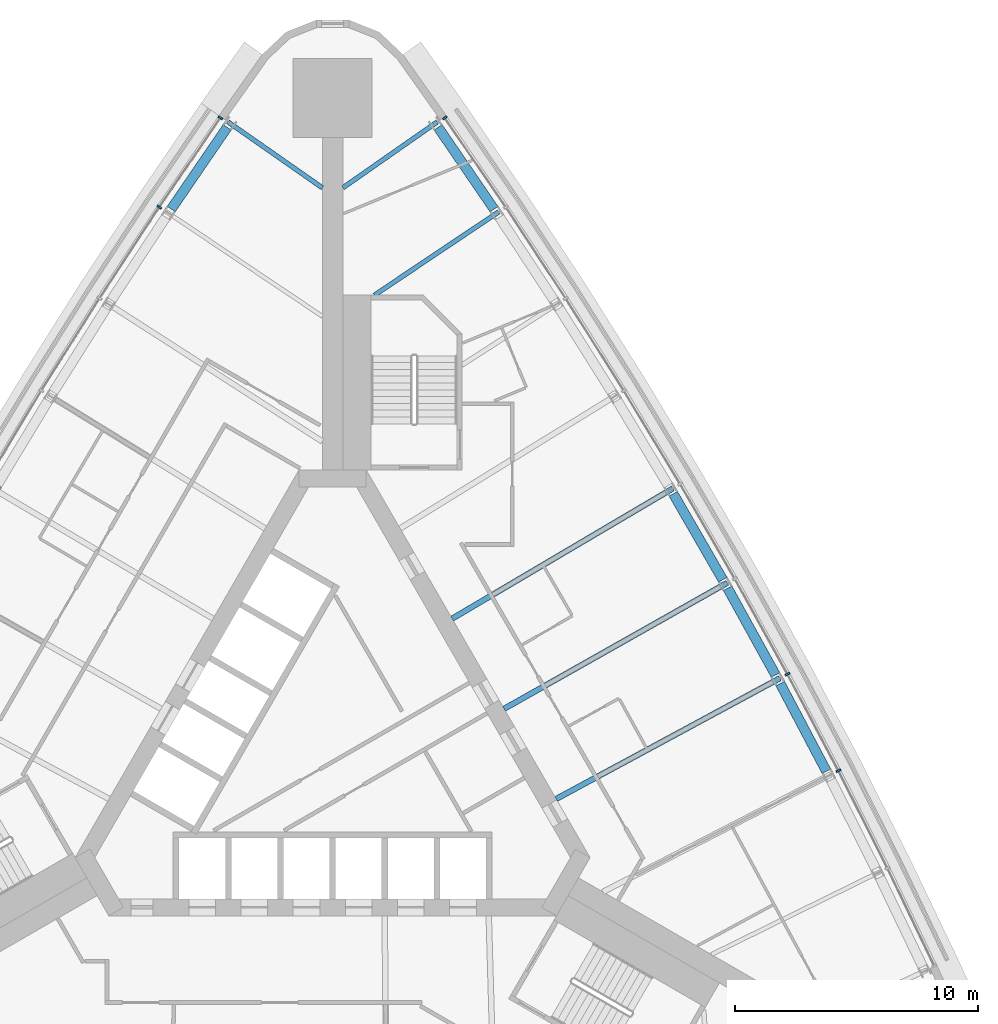
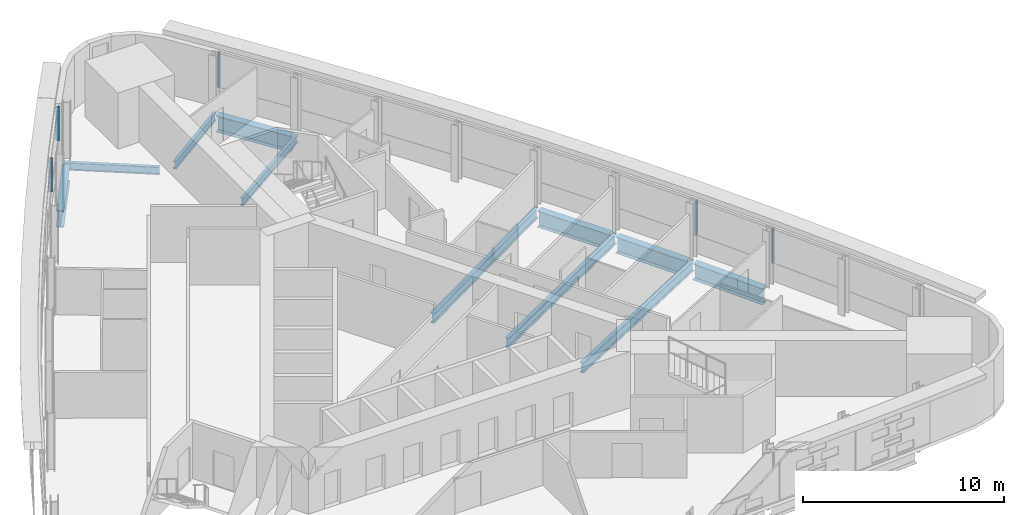
# One storey, part 6 of 15: 11 beams, 5 members, 2 elements without a shape of their own.
"""IFC4 building model written with IfcOpenShell, lengths in metres."""

from ifc_helpers import new_model, si_unit, direction, frame, origin, origin_2d, place, context, subcontext, project, spatial, rectangle, i_section, extrude, material, material_profile, profile_set, type_object, element, aggregate, save


model = new_model("IFC4")

# Units and contexts
model_context = context("Model", 3, precision=1e-05, world=origin(), true_north=direction((0.0, 1.0)))
body_context = subcontext(model_context, "Body", "Model", "MODEL_VIEW")
ifc_project = project(units=[si_unit("LENGTHUNIT", "METRE"), si_unit("AREAUNIT", "SQUARE_METRE"), si_unit("VOLUMEUNIT", "CUBIC_METRE"), si_unit("PLANEANGLEUNIT", "RADIAN"), si_unit("MASSUNIT", "GRAM", prefix="KILO")], contexts=[model_context])

# Site, building, storey
site_placement = place(None, origin())
site = spatial("IfcSite", under=ifc_project, at=site_placement, CompositionType="ELEMENT")
building_placement = place(site_placement, origin())
building = spatial("IfcBuilding", under=site, at=building_placement, Name="Noor Cloister Tower", CompositionType="ELEMENT")
storey_placement = place(building_placement, frame((0.0, 0.0, 58.199951171875)))
storey = spatial("IfcBuildingStorey", under=building, at=storey_placement, Name="L14", CompositionType="ELEMENT", Elevation=58.199951171875)

# Beams
ifc_material_1 = material(Name="Steel ASTM A992 Gr 50", Category="steel")
ifc_material_profile_1 = material_profile(ifc_material_1, i_section(OverallWidth=0.40087890625, OverallDepth=0.98291015625, WebThickness=0.0166015625, FlangeThickness=0.027099609375, FilletRadius=0.030029296875, at=origin_2d()), Name="W1000x296")
ifc_profile_set_1 = profile_set([ifc_material_profile_1], Name="Steel ASTM A992 Gr 50")
beam_type_1 = type_object("IfcBeamType", Name="Belt chord girder W1000x296", PredefinedType="BEAM", material=ifc_profile_set_1)
beam_1_placement = place(storey_placement, frame((-4.346923828125, 25.576416015625, -0.69140625), z_axis=(-0.564617500645, -0.825352699133, 0.0), x_axis=(0.825352699133, -0.564617500645, 0.0)))
element("IfcBeam", 1, at=beam_1_placement, inside=storey, type_object=beam_type_1, Name="Spandrel beam NW 01 L14", PredefinedType="BEAM", context=body_context, shape_type="SweptSolid", body=[
    extrude(i_section(OverallWidth=0.40087890625, OverallDepth=0.98291015625, WebThickness=0.0166015625, FlangeThickness=0.027099609375, FilletRadius=0.030029296875, at=origin_2d()), origin(), (0.0, 0.0, 1.0), 4.085205078125),
])
for number, where, z_axis, x_axis, name in (
    (2, (20.3564453125, -0.96923828125, -0.69140625), (-0.466541783788, 0.884499159965, 0.0), (-0.884499159965, -0.466541783788, 0.0), "Spandrel beam NE 03 L14"),
    (3, (18.258544921875, 2.999755859375, -0.69140625), (-0.483388526377, 0.875405924453, 0.0), (-0.875405924453, -0.483388526377, 0.0), "Spandrel beam NE 04 L14"),
    (4, (16.085205078125, 6.927978515625, -0.69140625), (-0.500001788232, 0.866024371346, 0.0), (-0.866024371346, -0.500001788232, 0.0), "Spandrel beam NE 05 L14"),
):
    element("IfcBeam", number, at=place(storey_placement, frame(where, z_axis=z_axis, x_axis=x_axis)), inside=storey, type_object=beam_type_1, Name=name, PredefinedType="BEAM", context=body_context, shape_type="SweptSolid", body=[
        extrude(i_section(OverallWidth=0.40087890625, OverallDepth=0.98291015625, WebThickness=0.0166015625, FlangeThickness=0.027099609375, FilletRadius=0.030029296875, at=origin_2d()), origin(), (0.0, 0.0, 1.0), 4.08544921875),
    ])
beam_2_placement = place(storey_placement, frame((6.653564453125, 22.20458984375, -0.69140625), z_axis=(-0.564617500645, 0.825352699133, 0.0), x_axis=(-0.825352699133, -0.564617500645, 0.0)))
element("IfcBeam", 5, at=beam_2_placement, inside=storey, type_object=beam_type_1, Name="Spandrel beam NE 09 L14", PredefinedType="BEAM", context=body_context, shape_type="SweptSolid", body=[
    extrude(i_section(OverallWidth=0.40087890625, OverallDepth=0.98291015625, WebThickness=0.0166015625, FlangeThickness=0.027099609375, FilletRadius=0.030029296875, at=origin_2d()), origin(), (0.0, 0.0, 1.0), 4.085205078125),
])

# Curtain wall, members
ifc_material_2 = material(Name="Aluminium 6063-T6 anodised", Category="aluminium")
curtain_wall_type = type_object("IfcCurtainWallType", Name="Ribbon curtain wall, lower tower CW1", PredefinedType="NOTDEFINED", material=ifc_material_2)
curtain_wall_1_placement = place(storey_placement, origin())
curtain_wall_1 = element("IfcCurtainWall", 6, at=curtain_wall_1_placement, inside=storey, type_object=curtain_wall_type, Name="CW1 L14 NW run 1", PredefinedType="NOTDEFINED")
ifc_material_3 = material(Name="Aluminium 6063-T6 anodised", Category="aluminium")
ifc_material_profile_2 = material_profile(ifc_material_3, rectangle(XDim=0.199951171875, YDim=0.080078125, at=origin_2d()), Name="200 x 80 mullion")
ifc_profile_set_2 = profile_set([ifc_material_profile_2], Name="Aluminium 6063-T6 anodised")
member_type = type_object("IfcMemberType", Name="Mullion CW1 80 x 200", PredefinedType="MULLION", material=ifc_profile_set_2)
member_1_placement = place(storey_placement, frame((-4.623779296875, 25.968505859375, 1.10009765625), z_axis=(0.0, 0.0, 1.0), x_axis=(0.82534466855, -0.564629239498, 0.0)))
member_1 = element("IfcMember", 7, at=member_1_placement, type_object=member_type, Name="CW1 mullion 1", PredefinedType="MULLION", context=body_context, shape_type="SweptSolid", body=[
    extrude(rectangle(XDim=0.199951171875, YDim=0.080078125, at=origin_2d()), origin(), (0.0, 0.0, 1.0), 2.050048828125),
])
member_2_placement = place(storey_placement, frame((-7.141357421875, 22.288330078125, 1.10009765625), z_axis=(0.0, 0.0, 1.0), x_axis=(0.830698132368, -0.556723102521, 0.0)))
member_2 = element("IfcMember", 8, at=member_2_placement, type_object=member_type, Name="CW1 mullion 2", PredefinedType="MULLION", context=body_context, shape_type="SweptSolid", body=[
    extrude(rectangle(XDim=0.199951171875, YDim=0.080078125, at=origin_2d()), origin(), (0.0, 0.0, 1.0), 2.050048828125),
])
aggregate(curtain_wall_1, [member_1, member_2])

curtain_wall_2_placement = place(storey_placement, origin())
curtain_wall_2 = element("IfcCurtainWall", 9, at=curtain_wall_2_placement, inside=storey, type_object=curtain_wall_type, Name="CW1 L14 NE run 4", PredefinedType="NOTDEFINED")
member_3_placement = place(storey_placement, frame((20.850830078125, -0.941650390625, 1.10009765625), z_axis=(0.0, 0.0, 1.0), x_axis=(-0.88889998234, -0.458101322193, 0.0)))
member_3 = element("IfcMember", 10, at=member_3_placement, type_object=member_type, Name="CW1 mullion 3", PredefinedType="MULLION", context=body_context, shape_type="SweptSolid", body=[
    extrude(rectangle(XDim=0.199951171875, YDim=0.080078125, at=origin_2d()), origin(), (0.0, 0.0, 1.0), 2.050048828125),
])
member_4_placement = place(storey_placement, frame((18.752197265625, 3.03662109375, 1.10009765625), z_axis=(0.0, 0.0, 1.0), x_axis=(-0.879990404946, -0.474991460136, 0.0)))
member_4 = element("IfcMember", 11, at=member_4_placement, type_object=member_type, Name="CW1 mullion 4", PredefinedType="MULLION", context=body_context, shape_type="SweptSolid", body=[
    extrude(rectangle(XDim=0.199951171875, YDim=0.080078125, at=origin_2d()), origin(), (0.0, 0.0, 1.0), 2.050048828125),
])
member_5_placement = place(storey_placement, frame((4.623779296875, 25.968505859375, 1.10009765625), z_axis=(0.0, 0.0, 1.0), x_axis=(-0.82534466855, -0.564629239498, 0.0)))
member_5 = element("IfcMember", 12, at=member_5_placement, type_object=member_type, Name="CW1 mullion 10", PredefinedType="MULLION", context=body_context, shape_type="SweptSolid", body=[
    extrude(rectangle(XDim=0.199951171875, YDim=0.080078125, at=origin_2d()), origin(), (0.0, 0.0, 1.0), 2.050048828125),
])
aggregate(curtain_wall_2, [member_3, member_4, member_5])

# Beams
ifc_material_4 = material(Name="Steel ASTM A992 Gr 50", Category="steel")
ifc_material_profile_3 = material_profile(ifc_material_4, i_section(OverallWidth=0.19091796875, OverallDepth=0.45703125, WebThickness=0.009033203125, FlangeThickness=0.014404296875, FilletRadius=0.01025390625, at=origin_2d()), Name="W460x74")
ifc_profile_set_3 = profile_set([ifc_material_profile_3], Name="Steel ASTM A992 Gr 50")
beam_type_2 = type_object("IfcBeamType", Name="Radial beam W460x74", PredefinedType="BEAM", material=ifc_profile_set_3)
beam_3_placement = place(storey_placement, frame((-4.312255859375, 25.798828125, -0.428466796875), z_axis=(0.819894234357, -0.572515016806, 0.0), x_axis=(0.572515016806, 0.819894234357, 0.0)))
element("IfcBeam", 13, at=beam_3_placement, inside=storey, type_object=beam_type_2, Name="Radial beam NW 01 L14", PredefinedType="BEAM", context=body_context, shape_type="SweptSolid", body=[
    extrude(i_section(OverallWidth=0.19091796875, OverallDepth=0.45703125, WebThickness=0.009033203125, FlangeThickness=0.014404296875, FilletRadius=0.01025390625, at=origin_2d()), origin(), (0.0, 0.0, 1.0), 4.7412109375),
])
beam_4_placement = place(storey_placement, frame((6.84814453125, 22.091796875, -0.428466796875), z_axis=(-0.830702644277, -0.556716370148, 0.0), x_axis=(0.556716370148, -0.830702644277, 0.0)))
element("IfcBeam", 14, at=beam_4_placement, inside=storey, type_object=beam_type_2, Name="Radial beam NE 09 L14", PredefinedType="BEAM", context=body_context, shape_type="SweptSolid", body=[
    extrude(i_section(OverallWidth=0.19091796875, OverallDepth=0.45703125, WebThickness=0.009033203125, FlangeThickness=0.014404296875, FilletRadius=0.01025390625, at=origin_2d()), origin(), (0.0, 0.0, 1.0), 6.170654296875),
])
beam_5_placement = place(storey_placement, frame((4.312255859375, 25.798828125, -0.428466796875), z_axis=(-0.819894234357, -0.572515016806, 0.0), x_axis=(0.572515016806, -0.819894234357, 0.0)))
element("IfcBeam", 15, at=beam_5_placement, inside=storey, type_object=beam_type_2, Name="Radial beam NE 10 L14", PredefinedType="BEAM", context=body_context, shape_type="SweptSolid", body=[
    extrude(i_section(OverallWidth=0.19091796875, OverallDepth=0.45703125, WebThickness=0.009033203125, FlangeThickness=0.014404296875, FilletRadius=0.01025390625, at=origin_2d()), origin(), (0.0, 0.0, 1.0), 4.7412109375),
])
ifc_material_5 = material(Name="Steel ASTM A992 Gr 50", Category="steel")
ifc_material_profile_4 = material_profile(ifc_material_5, i_section(OverallWidth=0.22802734375, OverallDepth=0.60205078125, WebThickness=0.010498046875, FlangeThickness=0.014892578125, FilletRadius=0.0126953125, at=origin_2d()), Name="W610x101")
ifc_profile_set_4 = profile_set([ifc_material_profile_4], Name="Steel ASTM A992 Gr 50")
beam_type_3 = type_object("IfcBeamType", Name="Radial beam W610x101", PredefinedType="BEAM", material=ifc_profile_set_4)
beam_6_placement = place(storey_placement, frame((18.44140625, 2.869140625, -0.5009765625), z_axis=(-0.879979983035, -0.475010767729, 0.0), x_axis=(0.475010767729, -0.879979983035, 0.0)))
element("IfcBeam", 16, at=beam_6_placement, inside=storey, type_object=beam_type_3, Name="Radial beam NE 04 L14", PredefinedType="BEAM", context=body_context, shape_type="SweptSolid", body=[
    extrude(i_section(OverallWidth=0.22802734375, OverallDepth=0.60205078125, WebThickness=0.010498046875, FlangeThickness=0.014892578125, FilletRadius=0.0126953125, at=origin_2d()), origin(), (0.0, 0.0, 1.0), 10.4814453125),
])
beam_7_placement = place(storey_placement, frame((16.2705078125, 6.80078125, -0.5009765625), z_axis=(-0.87075647763, -0.491714507275, 0.0), x_axis=(0.491714507275, -0.87075647763, 0.0)))
element("IfcBeam", 17, at=beam_7_placement, inside=storey, type_object=beam_type_3, Name="Radial beam NE 05 L14", PredefinedType="BEAM", context=body_context, shape_type="SweptSolid", body=[
    extrude(i_section(OverallWidth=0.22802734375, OverallDepth=0.60205078125, WebThickness=0.010498046875, FlangeThickness=0.014892578125, FilletRadius=0.0126953125, at=origin_2d()), origin(), (0.0, 0.0, 1.0), 10.563232421875),
])
beam_8_placement = place(storey_placement, frame((14.02490234375, 10.6904296875, -0.5009765625), z_axis=(-0.861210281965, -0.508248807414, 0.0), x_axis=(0.508248807414, -0.861210281965, 0.0)))
element("IfcBeam", 18, at=beam_8_placement, inside=storey, type_object=beam_type_3, Name="Radial beam NE 06 L14", PredefinedType="BEAM", context=body_context, shape_type="SweptSolid", body=[
    extrude(i_section(OverallWidth=0.22802734375, OverallDepth=0.60205078125, WebThickness=0.010498046875, FlangeThickness=0.014892578125, FilletRadius=0.0126953125, at=origin_2d()), origin(), (0.0, 0.0, 1.0), 10.5634765625),
])

save(model, "model.ifc")
